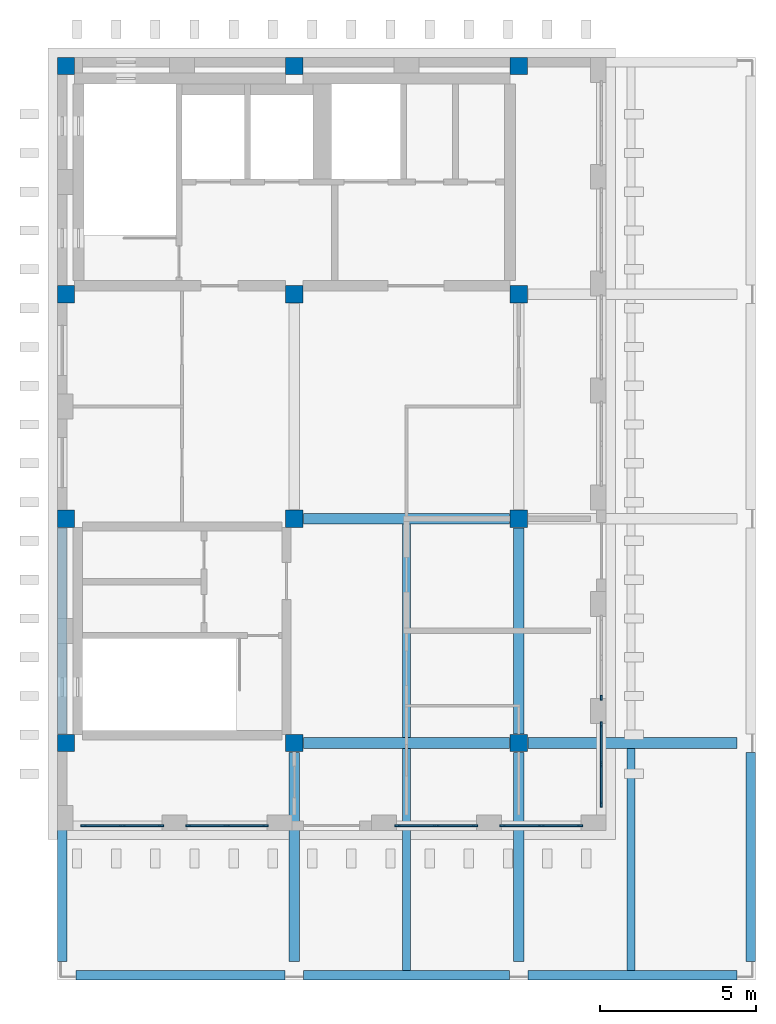
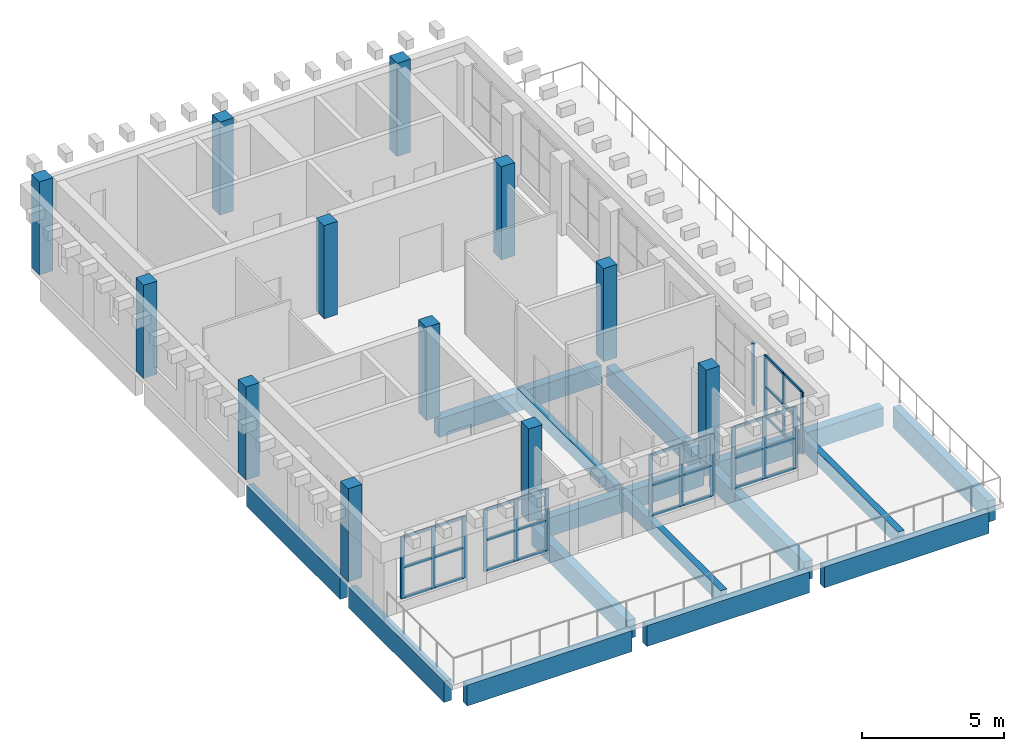
# One storey, part 1 of 6: 46 members, 15 beams, 12 columns, 6 elements without a shape of their own.
"""IFC4 building model written with IfcOpenShell, lengths in metres."""

from ifc_helpers import new_model, si_unit, direction, frame, origin, origin_2d, place, context, subcontext, project, spatial, rectangle, extrude, material, layer, layer_set, material_profile, profile_set, type_object, element, aggregate, save


model = new_model("IFC4")

# Units and contexts
model_context = context("Model", 3, precision=1e-05, world=origin(), true_north=direction((0.0, 1.0)))
body_context = subcontext(model_context, "Body", "Model", "MODEL_VIEW")
ifc_project = project(units=[si_unit("LENGTHUNIT", "METRE"), si_unit("AREAUNIT", "SQUARE_METRE"), si_unit("VOLUMEUNIT", "CUBIC_METRE"), si_unit("PLANEANGLEUNIT", "RADIAN"), si_unit("MASSUNIT", "GRAM", prefix="KILO")], contexts=[model_context])

# Site, building, storey
site_placement = place(None, origin())
site = spatial("IfcSite", under=ifc_project, at=site_placement, CompositionType="ELEMENT")
building_placement = place(site_placement, origin())
building = spatial("IfcBuilding", under=site, at=building_placement, Name="Ussher Court Research Institute", CompositionType="ELEMENT")
storey_placement = place(building_placement, frame((0.0, 0.0, 41.39990234375)))
storey = spatial("IfcBuildingStorey", under=building, at=storey_placement, Name="L09", CompositionType="ELEMENT", Elevation=41.39990234375)

# Columns
ifc_material_1 = material(Name="Concrete C35/45", Category="concrete")
ifc_material_profile_1 = material_profile(ifc_material_1, rectangle(XDim=0.550048828125, YDim=0.550048828125, at=origin_2d()), Name="RC 550x550")
ifc_profile_set_1 = profile_set([ifc_material_profile_1], Name="Concrete C35/45")
column_type = type_object("IfcColumnType", Name="RC 550x550 column", PredefinedType="COLUMN", material=ifc_profile_set_1)
for number, where, z_axis, x_axis, name in (
    (1, (82.074951171875, 11.199951171875, 0.0), (0.0, 0.0, 1.0), (1.0, 0.0, 0.0), "C55 V4 L09-01"),
    (2, (82.074951171875, 18.39990234375, 0.0), (0.0, 0.0, 1.0), (1.0, 0.0, 0.0), "C55 V4 L09-02"),
    (3, (82.074951171875, 25.60009765625, 0.0), (0.0, 0.0, 1.0), (1.0, 0.0, 0.0), "C55 V4 L09-03"),
    (4, (82.074951171875, 32.925048828125, 0.0), (0.0, 0.0, 1.0), (1.0, 0.0, 0.0), "C55 V4 L09-04"),
    (5, (89.39990234375, 11.199951171875, 0.0), (0.0, 0.0, 1.0), (1.0, 0.0, 0.0), "C55 V4 L09-05"),
    (6, (89.39990234375, 18.39990234375, 0.0), (0.0, 0.0, 1.0), (1.0, 0.0, 0.0), "C55 V4 L09-06"),
    (7, (89.39990234375, 25.60009765625, 0.0), (0.0, 0.0, 1.0), (1.0, 0.0, 0.0), "C55 V4 L09-07"),
    (8, (89.39990234375, 32.925048828125, 0.0), (0.0, 0.0, 1.0), (1.0, 0.0, 0.0), "C55 V4 L09-08"),
    (9, (96.60009765625, 11.199951171875, 0.0), (0.0, 0.0, 1.0), (1.0, 0.0, 0.0), "C55 V4 L09-09"),
    (10, (96.60009765625, 18.39990234375, 0.0), (0.0, 0.0, 1.0), (1.0, 0.0, 0.0), "C55 V4 L09-10"),
    (11, (96.60009765625, 25.60009765625, 0.0), (0.0, 0.0, 1.0), (1.0, 0.0, 0.0), "C55 V4 L09-11"),
    (12, (96.60009765625, 32.925048828125, 0.0), (0.0, 0.0, 1.0), (1.0, 0.0, 0.0), "C55 V4 L09-12"),
):
    element("IfcColumn", number, at=place(storey_placement, frame(where, z_axis=z_axis, x_axis=x_axis)), inside=storey, type_object=column_type, Name=name, PredefinedType="COLUMN", context=body_context, shape_type="SweptSolid", body=[
        extrude(rectangle(XDim=0.550048828125, YDim=0.550048828125, at=origin_2d()), origin(), (0.0, 0.0, 1.0), 4.0),
    ])

# Curtain wall, member
ifc_material_2 = material(Name="Bronze anodised aluminium with solar-control glass", Category="aluminium")
ifc_layer = layer(ifc_material_2, 0.1201171875)
ifc_layer_set = layer_set([ifc_layer], Name="Bronze anodised aluminium with solar-control glass")
curtain_wall_type = type_object("IfcCurtainWallType", Name="Curtain wall roof terrace pavilion front", PredefinedType="NOTDEFINED", material=ifc_layer_set)
curtain_wall_1_placement = place(storey_placement, origin())
curtain_wall_1 = element("IfcCurtainWall", 13, at=curtain_wall_1_placement, inside=storey, type_object=curtain_wall_type, Name="Curtain wall CW9 L09", PredefinedType="NOTDEFINED")
ifc_material_3 = material(Name="Bronze anodised aluminium", Category="aluminium")
ifc_material_profile_2 = material_profile(ifc_material_3, rectangle(XDim=0.06005859375, YDim=0.159912109375, at=origin_2d()), Name="Mullion 60x160")
ifc_profile_set_2 = profile_set([ifc_material_profile_2], Name="Bronze anodised aluminium")
member_type_1 = type_object("IfcMemberType", Name="Mullion 60x160", PredefinedType="MULLION", material=ifc_profile_set_2)
member_1_placement = place(storey_placement, frame((99.25, 12.65869140625, 0.4501953125), z_axis=(0.0, 0.0, 1.0), x_axis=(1.0, 0.0, 0.0)))
member_1 = element("IfcMember", 14, at=member_1_placement, type_object=member_type_1, Name="CW9 mullion 3", PredefinedType="MULLION", context=body_context, shape_type="SweptSolid", body=[
    extrude(rectangle(XDim=0.06005859375, YDim=0.159912109375, at=origin_2d()), origin(), (0.0, 0.0, 1.0), 2.64990234375),
])
aggregate(curtain_wall_1, [member_1])

# Curtain wall, members
curtain_wall_2_placement = place(storey_placement, origin())
curtain_wall_2 = element("IfcCurtainWall", 15, at=curtain_wall_2_placement, inside=storey, type_object=curtain_wall_type, Name="Curtain wall CW9 L09", PredefinedType="NOTDEFINED")
member_2_placement = place(storey_placement, frame((99.25, 11.798583984375, 0.4501953125), z_axis=(0.0, 0.0, 1.0), x_axis=(1.0, 0.0, 0.0)))
member_2 = element("IfcMember", 16, at=member_2_placement, type_object=member_type_1, Name="CW9 mullion 1", PredefinedType="MULLION", context=body_context, shape_type="SweptSolid", body=[
    extrude(rectangle(XDim=0.06005859375, YDim=0.159912109375, at=origin_2d()), origin(), (0.0, 0.0, 1.0), 2.64990234375),
])
member_3_placement = place(storey_placement, frame((99.25, 10.514404296875, 0.4501953125), z_axis=(0.0, 0.0, 1.0), x_axis=(1.0, 0.0, 0.0)))
member_3 = element("IfcMember", 17, at=member_3_placement, type_object=member_type_1, Name="CW9 mullion 2", PredefinedType="MULLION", context=body_context, shape_type="SweptSolid", body=[
    extrude(rectangle(XDim=0.06005859375, YDim=0.159912109375, at=origin_2d()), origin(), (0.0, 0.0, 1.0), 2.64990234375),
])
member_4_placement = place(storey_placement, frame((99.25, 9.22998046875, 0.4501953125), z_axis=(0.0, 0.0, 1.0), x_axis=(1.0, 0.0, 0.0)))
member_4 = element("IfcMember", 18, at=member_4_placement, type_object=member_type_1, Name="CW9 mullion 3", PredefinedType="MULLION", context=body_context, shape_type="SweptSolid", body=[
    extrude(rectangle(XDim=0.06005859375, YDim=0.159912109375, at=origin_2d()), origin(), (0.0, 0.0, 1.0), 2.64990234375),
])

curtain_wall_3_placement = place(storey_placement, origin())
curtain_wall_3 = element("IfcCurtainWall", 19, at=curtain_wall_3_placement, inside=storey, type_object=curtain_wall_type, Name="Curtain wall CW9 L09", PredefinedType="NOTDEFINED")
member_5_placement = place(storey_placement, frame((98.570068359375, 8.550048828125, 0.4501953125), z_axis=(0.0, 0.0, 1.0), x_axis=(0.0, -1.0, 0.0)))
member_5 = element("IfcMember", 20, at=member_5_placement, type_object=member_type_1, Name="CW9 mullion 1", PredefinedType="MULLION", context=body_context, shape_type="SweptSolid", body=[
    extrude(rectangle(XDim=0.06005859375, YDim=0.159912109375, at=origin_2d()), origin(), (0.0, 0.0, 1.0), 2.64990234375),
])
member_6_placement = place(storey_placement, frame((97.320068359375, 8.550048828125, 0.4501953125), z_axis=(0.0, 0.0, 1.0), x_axis=(0.0, -1.0, 0.0)))
member_6 = element("IfcMember", 21, at=member_6_placement, type_object=member_type_1, Name="CW9 mullion 2", PredefinedType="MULLION", context=body_context, shape_type="SweptSolid", body=[
    extrude(rectangle(XDim=0.06005859375, YDim=0.159912109375, at=origin_2d()), origin(), (0.0, 0.0, 1.0), 2.64990234375),
])
member_7_placement = place(storey_placement, frame((96.070068359375, 8.550048828125, 0.4501953125), z_axis=(0.0, 0.0, 1.0), x_axis=(0.0, -1.0, 0.0)))
member_7 = element("IfcMember", 22, at=member_7_placement, type_object=member_type_1, Name="CW9 mullion 3", PredefinedType="MULLION", context=body_context, shape_type="SweptSolid", body=[
    extrude(rectangle(XDim=0.06005859375, YDim=0.159912109375, at=origin_2d()), origin(), (0.0, 0.0, 1.0), 2.64990234375),
])

curtain_wall_4_placement = place(storey_placement, origin())
curtain_wall_4 = element("IfcCurtainWall", 23, at=curtain_wall_4_placement, inside=storey, type_object=curtain_wall_type, Name="Curtain wall CW9 L09", PredefinedType="NOTDEFINED")
member_8_placement = place(storey_placement, frame((95.2099609375, 8.550048828125, 0.4501953125), z_axis=(0.0, 0.0, 1.0), x_axis=(0.0, -1.0, 0.0)))
member_8 = element("IfcMember", 24, at=member_8_placement, type_object=member_type_1, Name="CW9 mullion 1", PredefinedType="MULLION", context=body_context, shape_type="SweptSolid", body=[
    extrude(rectangle(XDim=0.06005859375, YDim=0.159912109375, at=origin_2d()), origin(), (0.0, 0.0, 1.0), 2.64990234375),
])
member_9_placement = place(storey_placement, frame((93.9599609375, 8.550048828125, 0.4501953125), z_axis=(0.0, 0.0, 1.0), x_axis=(0.0, -1.0, 0.0)))
member_9 = element("IfcMember", 25, at=member_9_placement, type_object=member_type_1, Name="CW9 mullion 2", PredefinedType="MULLION", context=body_context, shape_type="SweptSolid", body=[
    extrude(rectangle(XDim=0.06005859375, YDim=0.159912109375, at=origin_2d()), origin(), (0.0, 0.0, 1.0), 2.64990234375),
])
member_10_placement = place(storey_placement, frame((92.7099609375, 8.550048828125, 0.4501953125), z_axis=(0.0, 0.0, 1.0), x_axis=(0.0, -1.0, 0.0)))
member_10 = element("IfcMember", 26, at=member_10_placement, type_object=member_type_1, Name="CW9 mullion 3", PredefinedType="MULLION", context=body_context, shape_type="SweptSolid", body=[
    extrude(rectangle(XDim=0.06005859375, YDim=0.159912109375, at=origin_2d()), origin(), (0.0, 0.0, 1.0), 2.64990234375),
])

curtain_wall_5_placement = place(storey_placement, origin())
curtain_wall_5 = element("IfcCurtainWall", 27, at=curtain_wall_5_placement, inside=storey, type_object=curtain_wall_type, Name="Curtain wall CW9 L09", PredefinedType="NOTDEFINED")
member_11_placement = place(storey_placement, frame((88.489990234375, 8.550048828125, 0.4501953125), z_axis=(0.0, 0.0, 1.0), x_axis=(0.0, -1.0, 0.0)))
member_11 = element("IfcMember", 28, at=member_11_placement, type_object=member_type_1, Name="CW9 mullion 1", PredefinedType="MULLION", context=body_context, shape_type="SweptSolid", body=[
    extrude(rectangle(XDim=0.06005859375, YDim=0.159912109375, at=origin_2d()), origin(), (0.0, 0.0, 1.0), 2.64990234375),
])
member_12_placement = place(storey_placement, frame((87.239990234375, 8.550048828125, 0.4501953125), z_axis=(0.0, 0.0, 1.0), x_axis=(0.0, -1.0, 0.0)))
member_12 = element("IfcMember", 29, at=member_12_placement, type_object=member_type_1, Name="CW9 mullion 2", PredefinedType="MULLION", context=body_context, shape_type="SweptSolid", body=[
    extrude(rectangle(XDim=0.06005859375, YDim=0.159912109375, at=origin_2d()), origin(), (0.0, 0.0, 1.0), 2.64990234375),
])
member_13_placement = place(storey_placement, frame((85.989990234375, 8.550048828125, 0.4501953125), z_axis=(0.0, 0.0, 1.0), x_axis=(0.0, -1.0, 0.0)))
member_13 = element("IfcMember", 30, at=member_13_placement, type_object=member_type_1, Name="CW9 mullion 3", PredefinedType="MULLION", context=body_context, shape_type="SweptSolid", body=[
    extrude(rectangle(XDim=0.06005859375, YDim=0.159912109375, at=origin_2d()), origin(), (0.0, 0.0, 1.0), 2.64990234375),
])

curtain_wall_6_placement = place(storey_placement, origin())
curtain_wall_6 = element("IfcCurtainWall", 31, at=curtain_wall_6_placement, inside=storey, type_object=curtain_wall_type, Name="Curtain wall CW9 L09", PredefinedType="NOTDEFINED")
member_14_placement = place(storey_placement, frame((85.1298828125, 8.550048828125, 0.4501953125), z_axis=(0.0, 0.0, 1.0), x_axis=(0.0, -1.0, 0.0)))
member_14 = element("IfcMember", 32, at=member_14_placement, type_object=member_type_1, Name="CW9 mullion 1", PredefinedType="MULLION", context=body_context, shape_type="SweptSolid", body=[
    extrude(rectangle(XDim=0.06005859375, YDim=0.159912109375, at=origin_2d()), origin(), (0.0, 0.0, 1.0), 2.64990234375),
])
member_15_placement = place(storey_placement, frame((83.8798828125, 8.550048828125, 0.4501953125), z_axis=(0.0, 0.0, 1.0), x_axis=(0.0, -1.0, 0.0)))
member_15 = element("IfcMember", 33, at=member_15_placement, type_object=member_type_1, Name="CW9 mullion 2", PredefinedType="MULLION", context=body_context, shape_type="SweptSolid", body=[
    extrude(rectangle(XDim=0.06005859375, YDim=0.159912109375, at=origin_2d()), origin(), (0.0, 0.0, 1.0), 2.64990234375),
])
member_16_placement = place(storey_placement, frame((82.6298828125, 8.550048828125, 0.4501953125), z_axis=(0.0, 0.0, 1.0), x_axis=(0.0, -1.0, 0.0)))
member_16 = element("IfcMember", 34, at=member_16_placement, type_object=member_type_1, Name="CW9 mullion 3", PredefinedType="MULLION", context=body_context, shape_type="SweptSolid", body=[
    extrude(rectangle(XDim=0.06005859375, YDim=0.159912109375, at=origin_2d()), origin(), (0.0, 0.0, 1.0), 2.64990234375),
])

# Beams
ifc_material_4 = material(Name="Concrete C35/45", Category="concrete")
ifc_material_profile_3 = material_profile(ifc_material_4, rectangle(XDim=0.25, YDim=0.60009765625, at=origin_2d()), Name="RC 250x600")
ifc_profile_set_3 = profile_set([ifc_material_profile_3], Name="Concrete C35/45")
beam_type_1 = type_object("IfcBeamType", Name="RC 250x600 beam", PredefinedType="BEAM", material=ifc_profile_set_3)
beam_1_placement = place(storey_placement, frame((93.0, 3.89990234375, -0.2998046875), z_axis=(0.0, 1.0, 0.0), x_axis=(-1.0, 0.0, 0.0)))
element("IfcBeam", 35, at=beam_1_placement, inside=storey, type_object=beam_type_1, Name="B14 V4 L09-01", PredefinedType="BEAM", context=body_context, shape_type="SweptSolid", body=[
    extrude(rectangle(XDim=0.25, YDim=0.60009765625, at=origin_2d()), origin(), (0.0, 0.0, 1.0), 7.125),
])
beam_2_placement = place(storey_placement, frame((93.0, 11.375, -0.2998046875), z_axis=(0.0, 1.0, 0.0), x_axis=(-1.0, 0.0, 0.0)))
element("IfcBeam", 36, at=beam_2_placement, inside=storey, type_object=beam_type_1, Name="B14 V4 L09-02", PredefinedType="BEAM", context=body_context, shape_type="SweptSolid", body=[
    extrude(rectangle(XDim=0.25, YDim=0.60009765625, at=origin_2d()), origin(), (0.0, 0.0, 1.0), 6.85009765625),
])
beam_3_placement = place(storey_placement, frame((100.199951171875, 3.89990234375, -0.2998046875), z_axis=(0.0, 1.0, 0.0), x_axis=(-1.0, 0.0, 0.0)))
element("IfcBeam", 37, at=beam_3_placement, inside=storey, type_object=beam_type_1, Name="B14 V4 L09-03", PredefinedType="BEAM", context=body_context, shape_type="SweptSolid", body=[
    extrude(rectangle(XDim=0.25, YDim=0.60009765625, at=origin_2d()), origin(), (0.0, 0.0, 1.0), 7.125),
])
ifc_material_5 = material(Name="Concrete C35/45", Category="concrete")
ifc_material_profile_4 = material_profile(ifc_material_5, rectangle(XDim=0.300048828125, YDim=0.89990234375, at=origin_2d()), Name="RC 300x900")
ifc_profile_set_4 = profile_set([ifc_material_profile_4], Name="Concrete C35/45")
beam_type_2 = type_object("IfcBeamType", Name="RC 300x900 beam", PredefinedType="BEAM", material=ifc_profile_set_4)
beam_4_placement = place(storey_placement, frame((82.39990234375, 3.75, -0.64990234375), z_axis=(1.0, 0.0, 0.0), x_axis=(0.0, 1.0, 0.0)))
element("IfcBeam", 38, at=beam_4_placement, inside=storey, type_object=beam_type_2, Name="SB2 V4 L09-01", PredefinedType="BEAM", context=body_context, shape_type="SweptSolid", body=[
    extrude(rectangle(XDim=0.300048828125, YDim=0.89990234375, at=origin_2d()), origin(), (0.0, 0.0, 1.0), 6.7001953125),
])
beam_5_placement = place(storey_placement, frame((89.699951171875, 3.75, -0.64990234375), z_axis=(1.0, 0.0, 0.0), x_axis=(0.0, 1.0, 0.0)))
element("IfcBeam", 39, at=beam_5_placement, inside=storey, type_object=beam_type_2, Name="SB2 V4 L09-02", PredefinedType="BEAM", context=body_context, shape_type="SweptSolid", body=[
    extrude(rectangle(XDim=0.300048828125, YDim=0.89990234375, at=origin_2d()), origin(), (0.0, 0.0, 1.0), 6.60009765625),
])
beam_6_placement = place(storey_placement, frame((96.89990234375, 3.75, -0.64990234375), z_axis=(1.0, 0.0, 0.0), x_axis=(0.0, 1.0, 0.0)))
element("IfcBeam", 40, at=beam_6_placement, inside=storey, type_object=beam_type_2, Name="SB2 V4 L09-03", PredefinedType="BEAM", context=body_context, shape_type="SweptSolid", body=[
    extrude(rectangle(XDim=0.300048828125, YDim=0.89990234375, at=origin_2d()), origin(), (0.0, 0.0, 1.0), 6.7001953125),
])
beam_7_placement = place(storey_placement, frame((81.949951171875, 4.199951171875, -0.64990234375), z_axis=(0.0, 1.0, 0.0), x_axis=(-1.0, 0.0, 0.0)))
element("IfcBeam", 41, at=beam_7_placement, inside=storey, type_object=beam_type_2, Name="SB2 V4 L09-07", PredefinedType="BEAM", context=body_context, shape_type="SweptSolid", body=[
    extrude(rectangle(XDim=0.300048828125, YDim=0.89990234375, at=origin_2d()), origin(), (0.0, 0.0, 1.0), 6.699951171875),
])
beam_8_placement = place(storey_placement, frame((81.949951171875, 11.5, -0.64990234375), z_axis=(0.0, 1.0, 0.0), x_axis=(-1.0, 0.0, 0.0)))
element("IfcBeam", 42, at=beam_8_placement, inside=storey, type_object=beam_type_2, Name="SB2 V4 L09-08", PredefinedType="BEAM", context=body_context, shape_type="SweptSolid", body=[
    extrude(rectangle(XDim=0.300048828125, YDim=0.89990234375, at=origin_2d()), origin(), (0.0, 0.0, 1.0), 6.60009765625),
])
beam_9_placement = place(storey_placement, frame((104.050048828125, 4.199951171875, -0.64990234375), z_axis=(0.0, 1.0, 0.0), x_axis=(-1.0, 0.0, 0.0)))
element("IfcBeam", 43, at=beam_9_placement, inside=storey, type_object=beam_type_2, Name="SB2 V4 L09-11", PredefinedType="BEAM", context=body_context, shape_type="SweptSolid", body=[
    extrude(rectangle(XDim=0.300048828125, YDim=0.89990234375, at=origin_2d()), origin(), (0.0, 0.0, 1.0), 6.699951171875),
])
ifc_material_6 = material(Name="Concrete C35/45", Category="concrete")
ifc_material_profile_5 = material_profile(ifc_material_6, rectangle(XDim=0.35009765625, YDim=0.800048828125, at=origin_2d()), Name="RC 350x800")
ifc_profile_set_5 = profile_set([ifc_material_profile_5], Name="Concrete C35/45")
beam_type_3 = type_object("IfcBeamType", Name="RC 350x800 beam", PredefinedType="BEAM", material=ifc_profile_set_5)
beam_10_placement = place(storey_placement, frame((89.699951171875, 11.199951171875, -0.599853515625), z_axis=(1.0, 0.0, 0.0), x_axis=(0.0, 1.0, 0.0)))
element("IfcBeam", 44, at=beam_10_placement, inside=storey, type_object=beam_type_3, Name="B6 V4 L09-01", PredefinedType="BEAM", context=body_context, shape_type="SweptSolid", body=[
    extrude(rectangle(XDim=0.35009765625, YDim=0.800048828125, at=origin_2d()), origin(), (0.0, 0.0, 1.0), 6.60009765625),
])
beam_11_placement = place(storey_placement, frame((96.89990234375, 11.199951171875, -0.599853515625), z_axis=(1.0, 0.0, 0.0), x_axis=(0.0, 1.0, 0.0)))
element("IfcBeam", 45, at=beam_11_placement, inside=storey, type_object=beam_type_3, Name="B6 V4 L09-02", PredefinedType="BEAM", context=body_context, shape_type="SweptSolid", body=[
    extrude(rectangle(XDim=0.35009765625, YDim=0.800048828125, at=origin_2d()), origin(), (0.0, 0.0, 1.0), 6.7001953125),
])
beam_12_placement = place(storey_placement, frame((89.699951171875, 18.39990234375, -0.599853515625), z_axis=(1.0, 0.0, 0.0), x_axis=(0.0, 1.0, 0.0)))
element("IfcBeam", 46, at=beam_12_placement, inside=storey, type_object=beam_type_3, Name="B6 V4 L09-03", PredefinedType="BEAM", context=body_context, shape_type="SweptSolid", body=[
    extrude(rectangle(XDim=0.35009765625, YDim=0.800048828125, at=origin_2d()), origin(), (0.0, 0.0, 1.0), 6.60009765625),
])
for number, where, z_axis, x_axis, name in (
    (47, (89.39990234375, 4.199951171875, -0.599853515625), (0.0, 1.0, 0.0), (-1.0, 0.0, 0.0), "B6 V4 L09-06"),
    (48, (96.60009765625, 4.199951171875, -0.599853515625), (0.0, 1.0, 0.0), (-1.0, 0.0, 0.0), "B6 V4 L09-08"),
):
    element("IfcBeam", number, at=place(storey_placement, frame(where, z_axis=z_axis, x_axis=x_axis)), inside=storey, type_object=beam_type_3, Name=name, PredefinedType="BEAM", context=body_context, shape_type="SweptSolid", body=[
        extrude(rectangle(XDim=0.35009765625, YDim=0.800048828125, at=origin_2d()), origin(), (0.0, 0.0, 1.0), 6.699951171875),
    ])
beam_13_placement = place(storey_placement, frame((96.60009765625, 11.5, -0.599853515625), z_axis=(0.0, 1.0, 0.0), x_axis=(-1.0, 0.0, 0.0)))
element("IfcBeam", 49, at=beam_13_placement, inside=storey, type_object=beam_type_3, Name="B6 V4 L09-09", PredefinedType="BEAM", context=body_context, shape_type="SweptSolid", body=[
    extrude(rectangle(XDim=0.35009765625, YDim=0.800048828125, at=origin_2d()), origin(), (0.0, 0.0, 1.0), 6.60009765625),
])

# Member
ifc_material_7 = material(Name="Bronze anodised aluminium", Category="aluminium")
ifc_material_profile_6 = material_profile(ifc_material_7, rectangle(XDim=0.06005859375, YDim=0.1201171875, at=origin_2d()), Name="Transom 60x120")
ifc_profile_set_6 = profile_set([ifc_material_profile_6], Name="Bronze anodised aluminium")
member_type_2 = type_object("IfcMemberType", Name="Transom 60x120", PredefinedType="USERDEFINED", material=ifc_profile_set_6)
member_17_placement = place(storey_placement, frame((99.25, 11.7685546875, 0.47998046875), z_axis=(0.0, -1.0, 0.0), x_axis=(1.0, 0.0, 0.0)))
member_17 = element("IfcMember", 50, at=member_17_placement, type_object=member_type_2, Name="CW9 transom 1.1", ObjectType="TRANSOM", PredefinedType="USERDEFINED", context=body_context, shape_type="SweptSolid", body=[
    extrude(rectangle(XDim=0.06005859375, YDim=0.1201171875, at=origin_2d()), origin(), (0.0, 0.0, 1.0), 1.224365234375),
])

member_18_placement = place(storey_placement, frame((99.25, 11.7685546875, 1.775146484375), z_axis=(0.0, -1.0, 0.0), x_axis=(1.0, 0.0, 0.0)))
member_18 = element("IfcMember", 51, at=member_18_placement, type_object=member_type_2, Name="CW9 transom 1.2", ObjectType="TRANSOM", PredefinedType="USERDEFINED", context=body_context, shape_type="SweptSolid", body=[
    extrude(rectangle(XDim=0.06005859375, YDim=0.1201171875, at=origin_2d()), origin(), (0.0, 0.0, 1.0), 1.224365234375),
])

member_19_placement = place(storey_placement, frame((99.25, 11.7685546875, 3.070068359375), z_axis=(0.0, -1.0, 0.0), x_axis=(1.0, 0.0, 0.0)))
member_19 = element("IfcMember", 52, at=member_19_placement, type_object=member_type_2, Name="CW9 transom 1.3", ObjectType="TRANSOM", PredefinedType="USERDEFINED", context=body_context, shape_type="SweptSolid", body=[
    extrude(rectangle(XDim=0.06005859375, YDim=0.1201171875, at=origin_2d()), origin(), (0.0, 0.0, 1.0), 1.224365234375),
])

member_20_placement = place(storey_placement, frame((99.25, 10.484375, 0.47998046875), z_axis=(0.0, -1.0, 0.0), x_axis=(1.0, 0.0, 0.0)))
member_20 = element("IfcMember", 53, at=member_20_placement, type_object=member_type_2, Name="CW9 transom 2.1", ObjectType="TRANSOM", PredefinedType="USERDEFINED", context=body_context, shape_type="SweptSolid", body=[
    extrude(rectangle(XDim=0.06005859375, YDim=0.1201171875, at=origin_2d()), origin(), (0.0, 0.0, 1.0), 1.224365234375),
])

member_21_placement = place(storey_placement, frame((99.25, 10.484375, 1.775146484375), z_axis=(0.0, -1.0, 0.0), x_axis=(1.0, 0.0, 0.0)))
member_21 = element("IfcMember", 54, at=member_21_placement, type_object=member_type_2, Name="CW9 transom 2.2", ObjectType="TRANSOM", PredefinedType="USERDEFINED", context=body_context, shape_type="SweptSolid", body=[
    extrude(rectangle(XDim=0.06005859375, YDim=0.1201171875, at=origin_2d()), origin(), (0.0, 0.0, 1.0), 1.224365234375),
])

member_22_placement = place(storey_placement, frame((99.25, 10.484375, 3.070068359375), z_axis=(0.0, -1.0, 0.0), x_axis=(1.0, 0.0, 0.0)))
member_22 = element("IfcMember", 55, at=member_22_placement, type_object=member_type_2, Name="CW9 transom 2.3", ObjectType="TRANSOM", PredefinedType="USERDEFINED", context=body_context, shape_type="SweptSolid", body=[
    extrude(rectangle(XDim=0.06005859375, YDim=0.1201171875, at=origin_2d()), origin(), (0.0, 0.0, 1.0), 1.224365234375),
])

aggregate(curtain_wall_2, [member_2, member_3, member_4, member_17, member_18, member_19, member_20, member_21, member_22])

member_23_placement = place(storey_placement, frame((98.5400390625, 8.550048828125, 0.47998046875), z_axis=(-1.0, 0.0, 0.0), x_axis=(0.0, -1.0, 0.0)))
member_23 = element("IfcMember", 56, at=member_23_placement, type_object=member_type_2, Name="CW9 transom 1.1", ObjectType="TRANSOM", PredefinedType="USERDEFINED", context=body_context, shape_type="SweptSolid", body=[
    extrude(rectangle(XDim=0.06005859375, YDim=0.1201171875, at=origin_2d()), origin(), (0.0, 0.0, 1.0), 1.18994140625),
])

member_24_placement = place(storey_placement, frame((98.5400390625, 8.550048828125, 1.775146484375), z_axis=(-1.0, 0.0, 0.0), x_axis=(0.0, -1.0, 0.0)))
member_24 = element("IfcMember", 57, at=member_24_placement, type_object=member_type_2, Name="CW9 transom 1.2", ObjectType="TRANSOM", PredefinedType="USERDEFINED", context=body_context, shape_type="SweptSolid", body=[
    extrude(rectangle(XDim=0.06005859375, YDim=0.1201171875, at=origin_2d()), origin(), (0.0, 0.0, 1.0), 1.18994140625),
])

member_25_placement = place(storey_placement, frame((98.5400390625, 8.550048828125, 3.070068359375), z_axis=(-1.0, 0.0, 0.0), x_axis=(0.0, -1.0, 0.0)))
member_25 = element("IfcMember", 58, at=member_25_placement, type_object=member_type_2, Name="CW9 transom 1.3", ObjectType="TRANSOM", PredefinedType="USERDEFINED", context=body_context, shape_type="SweptSolid", body=[
    extrude(rectangle(XDim=0.06005859375, YDim=0.1201171875, at=origin_2d()), origin(), (0.0, 0.0, 1.0), 1.18994140625),
])

member_26_placement = place(storey_placement, frame((97.2900390625, 8.550048828125, 0.47998046875), z_axis=(-1.0, 0.0, 0.0), x_axis=(0.0, -1.0, 0.0)))
member_26 = element("IfcMember", 59, at=member_26_placement, type_object=member_type_2, Name="CW9 transom 2.1", ObjectType="TRANSOM", PredefinedType="USERDEFINED", context=body_context, shape_type="SweptSolid", body=[
    extrude(rectangle(XDim=0.06005859375, YDim=0.1201171875, at=origin_2d()), origin(), (0.0, 0.0, 1.0), 1.18994140625),
])

member_27_placement = place(storey_placement, frame((97.2900390625, 8.550048828125, 1.775146484375), z_axis=(-1.0, 0.0, 0.0), x_axis=(0.0, -1.0, 0.0)))
member_27 = element("IfcMember", 60, at=member_27_placement, type_object=member_type_2, Name="CW9 transom 2.2", ObjectType="TRANSOM", PredefinedType="USERDEFINED", context=body_context, shape_type="SweptSolid", body=[
    extrude(rectangle(XDim=0.06005859375, YDim=0.1201171875, at=origin_2d()), origin(), (0.0, 0.0, 1.0), 1.18994140625),
])

member_28_placement = place(storey_placement, frame((97.2900390625, 8.550048828125, 3.070068359375), z_axis=(-1.0, 0.0, 0.0), x_axis=(0.0, -1.0, 0.0)))
member_28 = element("IfcMember", 61, at=member_28_placement, type_object=member_type_2, Name="CW9 transom 2.3", ObjectType="TRANSOM", PredefinedType="USERDEFINED", context=body_context, shape_type="SweptSolid", body=[
    extrude(rectangle(XDim=0.06005859375, YDim=0.1201171875, at=origin_2d()), origin(), (0.0, 0.0, 1.0), 1.18994140625),
])

aggregate(curtain_wall_3, [member_5, member_6, member_7, member_23, member_24, member_25, member_26, member_27, member_28])

member_29_placement = place(storey_placement, frame((95.179931640625, 8.550048828125, 0.47998046875), z_axis=(-1.0, 0.0, 0.0), x_axis=(0.0, -1.0, 0.0)))
member_29 = element("IfcMember", 62, at=member_29_placement, type_object=member_type_2, Name="CW9 transom 1.1", ObjectType="TRANSOM", PredefinedType="USERDEFINED", context=body_context, shape_type="SweptSolid", body=[
    extrude(rectangle(XDim=0.06005859375, YDim=0.1201171875, at=origin_2d()), origin(), (0.0, 0.0, 1.0), 1.18994140625),
])

member_30_placement = place(storey_placement, frame((95.179931640625, 8.550048828125, 1.775146484375), z_axis=(-1.0, 0.0, 0.0), x_axis=(0.0, -1.0, 0.0)))
member_30 = element("IfcMember", 63, at=member_30_placement, type_object=member_type_2, Name="CW9 transom 1.2", ObjectType="TRANSOM", PredefinedType="USERDEFINED", context=body_context, shape_type="SweptSolid", body=[
    extrude(rectangle(XDim=0.06005859375, YDim=0.1201171875, at=origin_2d()), origin(), (0.0, 0.0, 1.0), 1.18994140625),
])

member_31_placement = place(storey_placement, frame((95.179931640625, 8.550048828125, 3.070068359375), z_axis=(-1.0, 0.0, 0.0), x_axis=(0.0, -1.0, 0.0)))
member_31 = element("IfcMember", 64, at=member_31_placement, type_object=member_type_2, Name="CW9 transom 1.3", ObjectType="TRANSOM", PredefinedType="USERDEFINED", context=body_context, shape_type="SweptSolid", body=[
    extrude(rectangle(XDim=0.06005859375, YDim=0.1201171875, at=origin_2d()), origin(), (0.0, 0.0, 1.0), 1.18994140625),
])

member_32_placement = place(storey_placement, frame((93.929931640625, 8.550048828125, 0.47998046875), z_axis=(-1.0, 0.0, 0.0), x_axis=(0.0, -1.0, 0.0)))
member_32 = element("IfcMember", 65, at=member_32_placement, type_object=member_type_2, Name="CW9 transom 2.1", ObjectType="TRANSOM", PredefinedType="USERDEFINED", context=body_context, shape_type="SweptSolid", body=[
    extrude(rectangle(XDim=0.06005859375, YDim=0.1201171875, at=origin_2d()), origin(), (0.0, 0.0, 1.0), 1.18994140625),
])

member_33_placement = place(storey_placement, frame((93.929931640625, 8.550048828125, 1.775146484375), z_axis=(-1.0, 0.0, 0.0), x_axis=(0.0, -1.0, 0.0)))
member_33 = element("IfcMember", 66, at=member_33_placement, type_object=member_type_2, Name="CW9 transom 2.2", ObjectType="TRANSOM", PredefinedType="USERDEFINED", context=body_context, shape_type="SweptSolid", body=[
    extrude(rectangle(XDim=0.06005859375, YDim=0.1201171875, at=origin_2d()), origin(), (0.0, 0.0, 1.0), 1.18994140625),
])

member_34_placement = place(storey_placement, frame((93.929931640625, 8.550048828125, 3.070068359375), z_axis=(-1.0, 0.0, 0.0), x_axis=(0.0, -1.0, 0.0)))
member_34 = element("IfcMember", 67, at=member_34_placement, type_object=member_type_2, Name="CW9 transom 2.3", ObjectType="TRANSOM", PredefinedType="USERDEFINED", context=body_context, shape_type="SweptSolid", body=[
    extrude(rectangle(XDim=0.06005859375, YDim=0.1201171875, at=origin_2d()), origin(), (0.0, 0.0, 1.0), 1.18994140625),
])

aggregate(curtain_wall_4, [member_8, member_9, member_10, member_29, member_30, member_31, member_32, member_33, member_34])

member_35_placement = place(storey_placement, frame((88.4599609375, 8.550048828125, 0.47998046875), z_axis=(-1.0, 0.0, 0.0), x_axis=(0.0, -1.0, 0.0)))
member_35 = element("IfcMember", 68, at=member_35_placement, type_object=member_type_2, Name="CW9 transom 1.1", ObjectType="TRANSOM", PredefinedType="USERDEFINED", context=body_context, shape_type="SweptSolid", body=[
    extrude(rectangle(XDim=0.06005859375, YDim=0.1201171875, at=origin_2d()), origin(), (0.0, 0.0, 1.0), 1.18994140625),
])

member_36_placement = place(storey_placement, frame((88.4599609375, 8.550048828125, 1.775146484375), z_axis=(-1.0, 0.0, 0.0), x_axis=(0.0, -1.0, 0.0)))
member_36 = element("IfcMember", 69, at=member_36_placement, type_object=member_type_2, Name="CW9 transom 1.2", ObjectType="TRANSOM", PredefinedType="USERDEFINED", context=body_context, shape_type="SweptSolid", body=[
    extrude(rectangle(XDim=0.06005859375, YDim=0.1201171875, at=origin_2d()), origin(), (0.0, 0.0, 1.0), 1.18994140625),
])

member_37_placement = place(storey_placement, frame((88.4599609375, 8.550048828125, 3.070068359375), z_axis=(-1.0, 0.0, 0.0), x_axis=(0.0, -1.0, 0.0)))
member_37 = element("IfcMember", 70, at=member_37_placement, type_object=member_type_2, Name="CW9 transom 1.3", ObjectType="TRANSOM", PredefinedType="USERDEFINED", context=body_context, shape_type="SweptSolid", body=[
    extrude(rectangle(XDim=0.06005859375, YDim=0.1201171875, at=origin_2d()), origin(), (0.0, 0.0, 1.0), 1.18994140625),
])

member_38_placement = place(storey_placement, frame((87.2099609375, 8.550048828125, 0.47998046875), z_axis=(-1.0, 0.0, 0.0), x_axis=(0.0, -1.0, 0.0)))
member_38 = element("IfcMember", 71, at=member_38_placement, type_object=member_type_2, Name="CW9 transom 2.1", ObjectType="TRANSOM", PredefinedType="USERDEFINED", context=body_context, shape_type="SweptSolid", body=[
    extrude(rectangle(XDim=0.06005859375, YDim=0.1201171875, at=origin_2d()), origin(), (0.0, 0.0, 1.0), 1.18994140625),
])

member_39_placement = place(storey_placement, frame((87.2099609375, 8.550048828125, 1.775146484375), z_axis=(-1.0, 0.0, 0.0), x_axis=(0.0, -1.0, 0.0)))
member_39 = element("IfcMember", 72, at=member_39_placement, type_object=member_type_2, Name="CW9 transom 2.2", ObjectType="TRANSOM", PredefinedType="USERDEFINED", context=body_context, shape_type="SweptSolid", body=[
    extrude(rectangle(XDim=0.06005859375, YDim=0.1201171875, at=origin_2d()), origin(), (0.0, 0.0, 1.0), 1.18994140625),
])

member_40_placement = place(storey_placement, frame((87.2099609375, 8.550048828125, 3.070068359375), z_axis=(-1.0, 0.0, 0.0), x_axis=(0.0, -1.0, 0.0)))
member_40 = element("IfcMember", 73, at=member_40_placement, type_object=member_type_2, Name="CW9 transom 2.3", ObjectType="TRANSOM", PredefinedType="USERDEFINED", context=body_context, shape_type="SweptSolid", body=[
    extrude(rectangle(XDim=0.06005859375, YDim=0.1201171875, at=origin_2d()), origin(), (0.0, 0.0, 1.0), 1.18994140625),
])

aggregate(curtain_wall_5, [member_11, member_12, member_13, member_35, member_36, member_37, member_38, member_39, member_40])

member_41_placement = place(storey_placement, frame((85.10009765625, 8.550048828125, 0.47998046875), z_axis=(-1.0, 0.0, 0.0), x_axis=(0.0, -1.0, 0.0)))
member_41 = element("IfcMember", 74, at=member_41_placement, type_object=member_type_2, Name="CW9 transom 1.1", ObjectType="TRANSOM", PredefinedType="USERDEFINED", context=body_context, shape_type="SweptSolid", body=[
    extrude(rectangle(XDim=0.06005859375, YDim=0.1201171875, at=origin_2d()), origin(), (0.0, 0.0, 1.0), 1.190185546875),
])

member_42_placement = place(storey_placement, frame((85.10009765625, 8.550048828125, 1.775146484375), z_axis=(-1.0, 0.0, 0.0), x_axis=(0.0, -1.0, 0.0)))
member_42 = element("IfcMember", 75, at=member_42_placement, type_object=member_type_2, Name="CW9 transom 1.2", ObjectType="TRANSOM", PredefinedType="USERDEFINED", context=body_context, shape_type="SweptSolid", body=[
    extrude(rectangle(XDim=0.06005859375, YDim=0.1201171875, at=origin_2d()), origin(), (0.0, 0.0, 1.0), 1.190185546875),
])

member_43_placement = place(storey_placement, frame((85.10009765625, 8.550048828125, 3.070068359375), z_axis=(-1.0, 0.0, 0.0), x_axis=(0.0, -1.0, 0.0)))
member_43 = element("IfcMember", 76, at=member_43_placement, type_object=member_type_2, Name="CW9 transom 1.3", ObjectType="TRANSOM", PredefinedType="USERDEFINED", context=body_context, shape_type="SweptSolid", body=[
    extrude(rectangle(XDim=0.06005859375, YDim=0.1201171875, at=origin_2d()), origin(), (0.0, 0.0, 1.0), 1.190185546875),
])

member_44_placement = place(storey_placement, frame((83.85009765625, 8.550048828125, 0.47998046875), z_axis=(-1.0, 0.0, 0.0), x_axis=(0.0, -1.0, 0.0)))
member_44 = element("IfcMember", 77, at=member_44_placement, type_object=member_type_2, Name="CW9 transom 2.1", ObjectType="TRANSOM", PredefinedType="USERDEFINED", context=body_context, shape_type="SweptSolid", body=[
    extrude(rectangle(XDim=0.06005859375, YDim=0.1201171875, at=origin_2d()), origin(), (0.0, 0.0, 1.0), 1.190185546875),
])

member_45_placement = place(storey_placement, frame((83.85009765625, 8.550048828125, 1.775146484375), z_axis=(-1.0, 0.0, 0.0), x_axis=(0.0, -1.0, 0.0)))
member_45 = element("IfcMember", 78, at=member_45_placement, type_object=member_type_2, Name="CW9 transom 2.2", ObjectType="TRANSOM", PredefinedType="USERDEFINED", context=body_context, shape_type="SweptSolid", body=[
    extrude(rectangle(XDim=0.06005859375, YDim=0.1201171875, at=origin_2d()), origin(), (0.0, 0.0, 1.0), 1.190185546875),
])

member_46_placement = place(storey_placement, frame((83.85009765625, 8.550048828125, 3.070068359375), z_axis=(-1.0, 0.0, 0.0), x_axis=(0.0, -1.0, 0.0)))
member_46 = element("IfcMember", 79, at=member_46_placement, type_object=member_type_2, Name="CW9 transom 2.3", ObjectType="TRANSOM", PredefinedType="USERDEFINED", context=body_context, shape_type="SweptSolid", body=[
    extrude(rectangle(XDim=0.06005859375, YDim=0.1201171875, at=origin_2d()), origin(), (0.0, 0.0, 1.0), 1.190185546875),
])

aggregate(curtain_wall_6, [member_14, member_15, member_16, member_41, member_42, member_43, member_44, member_45, member_46])

save(model, "model.ifc")
